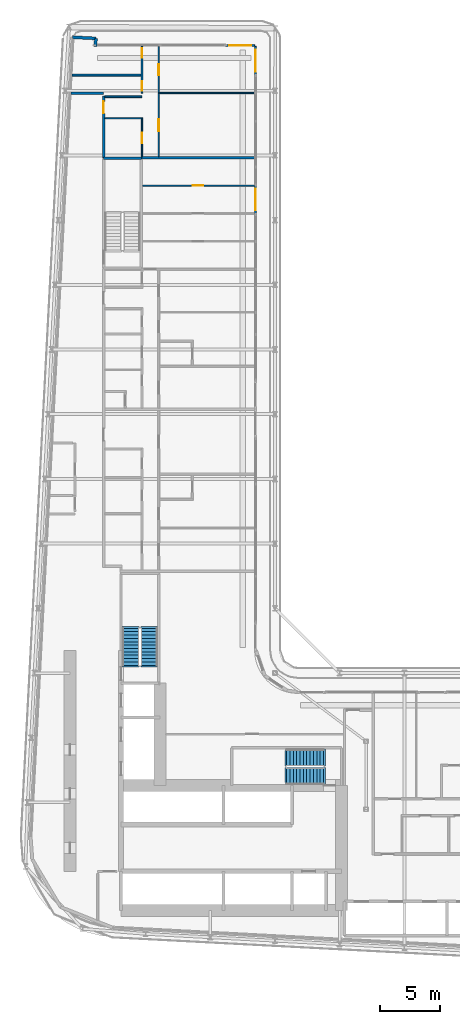
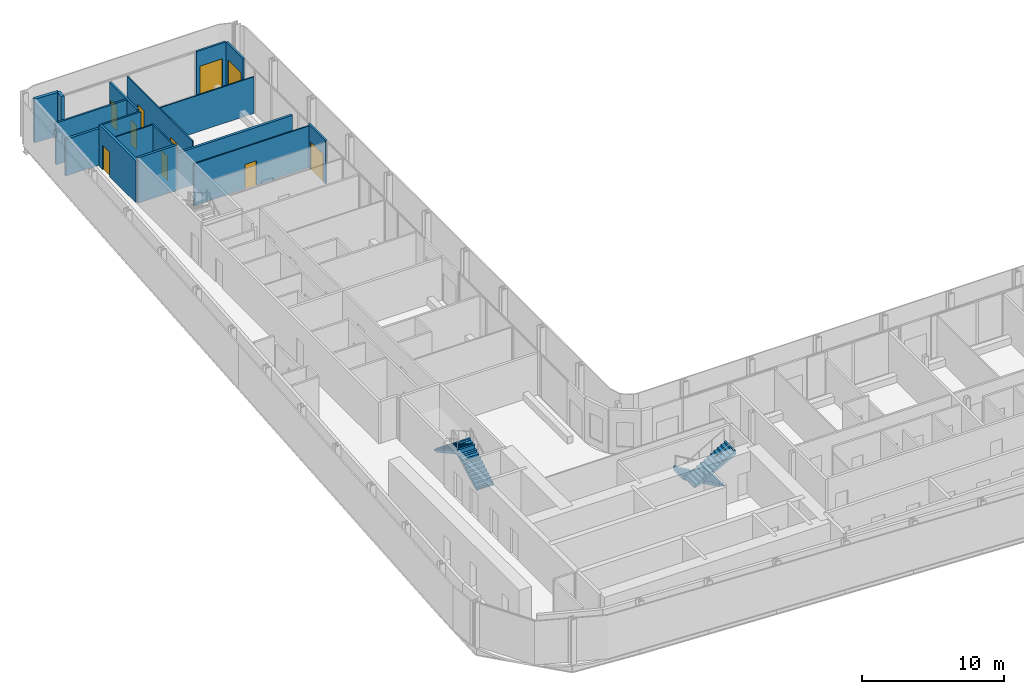
# One storey, part 19 of 27: 17 walls, 10 doors, 4 stair flights, 10 openings, 2 elements without a shape of their own.
"""IFC4 building model written with IfcOpenShell, lengths in metres."""

import ifcopenshell
import ifcopenshell.guid

model = None  # the IFC model being written
_history = None  # IfcOwnerHistory: only IFC2X3 demands one
_inside = {}  # id of a spatial element -> (the spatial element, [elements in it])
_under = {}  # id of a project, library or spatial element -> (it, [spatial elements below it])
_declared = {}  # id of a project -> (the project, [libraries it declares])
_typed = {}  # id of a type object -> (the type object, [elements of that type])
_made_of = {}  # id of a material, layer set ... -> (it, [elements and type objects made of it])


def new_model(schema):
    """Start an empty IFC model of exactly this schema.

    Asked for "IFC4X3", IfcOpenShell would pick the latest addendum, in which some entities
    have other attributes; the version numbers below select the first issue.
    IFC2X3 requires an IfcOwnerHistory on every rooted entity: one is made here for all.
    """
    global model, _history
    if schema == "IFC4X3":
        model = ifcopenshell.file(schema_version=(4, 3, 0, 0))
    else:
        model = ifcopenshell.file(schema=schema)
    _inside.clear()
    _under.clear()
    _declared.clear()
    _typed.clear()
    _made_of.clear()
    _history = None
    if model.schema == "IFC2X3":
        org = make("IfcOrganization", Name="unknown")
        user = make(
            "IfcPersonAndOrganization",
            ThePerson=make("IfcPerson", FamilyName="unknown"),
            TheOrganization=org,
        )
        app = make(
            "IfcApplication",
            ApplicationDeveloper=org,
            Version="unknown",
            ApplicationFullName="unknown",
            ApplicationIdentifier="unknown",
        )
        _history = make(
            "IfcOwnerHistory",
            OwningUser=user,
            OwningApplication=app,
            ChangeAction="ADDED",
            CreationDate=0,
        )
    return model


def make(cls, **values):
    """One entity of the class cls with the attributes given. An attribute that is None is left unset."""
    return model.create_entity(
        cls, **{name: value for name, value in values.items() if value is not None}
    )


def rooted(cls, **values):
    """An entity with a GlobalId (a new one), such as an element, a storey or a relation."""
    return make(cls, GlobalId=ifcopenshell.guid.new(), OwnerHistory=_history, **values)


def si_unit(unit_type, name, prefix=None):
    """IfcSIUnit, for example si_unit("LENGTHUNIT", "METRE", prefix="MILLI")."""
    return make("IfcSIUnit", UnitType=unit_type, Prefix=prefix, Name=name)


def assignment(units):
    """IfcUnitAssignment: the units of a project."""
    return None if units is None else make("IfcUnitAssignment", Units=units)


def point(xyz):
    """IfcCartesianPoint."""
    return None if xyz is None else make("IfcCartesianPoint", Coordinates=xyz)


def direction(xyz):
    """IfcDirection."""
    return None if xyz is None else make("IfcDirection", DirectionRatios=xyz)


def frame(location, z_axis=None, x_axis=None):
    """IfcAxis2Placement3D, a coordinate frame: its origin and axes. An axis left out is left unset."""
    return make(
        "IfcAxis2Placement3D",
        Location=point(location),
        Axis=direction(z_axis),
        RefDirection=direction(x_axis),
    )


def frame_2d(location, x_axis=None):
    """IfcAxis2Placement2D, a coordinate frame in the plane: its origin and x axis."""
    return make(
        "IfcAxis2Placement2D", Location=point(location), RefDirection=direction(x_axis)
    )


def origin():
    """The frame at (0, 0, 0) with its axes left unset."""
    return frame((0.0, 0.0, 0.0))


def place(relative_to, where):
    """IfcLocalPlacement: puts the frame where relative to a parent placement (None: the world)."""
    return make(
        "IfcLocalPlacement", PlacementRelTo=relative_to, RelativePlacement=where
    )


def context(
    kind, dimensions, precision=None, world=None, true_north=None, identifier=None
):
    """IfcGeometricRepresentationContext, for example the 3D "Model" context."""
    return make(
        "IfcGeometricRepresentationContext",
        ContextIdentifier=identifier,
        ContextType=kind,
        CoordinateSpaceDimension=dimensions,
        Precision=precision,
        WorldCoordinateSystem=world,
        TrueNorth=true_north,
    )


def subcontext(parent, identifier, kind, view, scale=None):
    """IfcGeometricRepresentationSubContext, for example "Body" below "Model"."""
    return make(
        "IfcGeometricRepresentationSubContext",
        ContextIdentifier=identifier,
        ContextType=kind,
        ParentContext=parent,
        TargetScale=scale,
        TargetView=view,
    )


def project(units=None, contexts=None):
    """IfcProject with its units and contexts."""
    return rooted(
        "IfcProject",
        Name="project",
        RepresentationContexts=contexts,
        UnitsInContext=assignment(units),
    )


def spatial(cls, under=None, at=None, **own):
    """A site, building, storey or space (cls), placed at a placement, below another one or the project."""
    s = rooted(cls, ObjectPlacement=at, **own)
    if under is not None:
        _under.setdefault(under.id(), (under, []))[1].append(s)
    return s


def polyline(points):
    """IfcPolyline through the points."""
    return make("IfcPolyline", Points=[point(p) for p in points])


def profile(cls, at=None, kind="AREA", **sizes):
    """A parametric profile (cls). Its sizes go by their IFC names, for example OverallWidth=200.0."""
    return make(cls, ProfileType=kind, Position=at, **sizes)


def rectangle(**sizes):
    """IfcRectangleProfileDef."""
    return profile("IfcRectangleProfileDef", **sizes)


def outline(outer, holes=None, kind="AREA"):
    """IfcArbitraryClosedProfileDef: a profile drawn as a closed curve; with holes, ...WithVoids."""
    if holes is None:
        return make("IfcArbitraryClosedProfileDef", ProfileType=kind, OuterCurve=outer)
    return make(
        "IfcArbitraryProfileDefWithVoids",
        ProfileType=kind,
        OuterCurve=outer,
        InnerCurves=holes,
    )


def extrude(swept, where, along, depth):
    """IfcExtrudedAreaSolid: the profile swept, set in the frame where, extruded along a direction by depth."""
    return make(
        "IfcExtrudedAreaSolid",
        SweptArea=swept,
        Position=where,
        ExtrudedDirection=direction(along),
        Depth=depth,
    )


def shape(context_of_items, identifier, shape_type, items):
    """IfcShapeRepresentation: the items that make up one representation, for example the "Body"."""
    return make(
        "IfcShapeRepresentation",
        ContextOfItems=context_of_items,
        RepresentationIdentifier=identifier,
        RepresentationType=shape_type,
        Items=items,
    )


def source(mapping_origin, context_of_items, identifier, shape_type, items):
    """IfcRepresentationMap: a shape defined once, which mapped items show again and again."""
    return make(
        "IfcRepresentationMap",
        MappingOrigin=mapping_origin,
        MappedRepresentation=shape(context_of_items, identifier, shape_type, items),
    )


def transform(
    local_origin,
    x_axis=None,
    y_axis=None,
    z_axis=None,
    scale=None,
    scale2=None,
    scale3=None,
    uniform=True,
):
    """IfcCartesianTransformationOperator3D, or its non-uniform kind. x_axis, y_axis, z_axis: its Axis1, 2, 3."""
    if uniform:
        return make(
            "IfcCartesianTransformationOperator3D",
            Axis1=direction(x_axis),
            Axis2=direction(y_axis),
            LocalOrigin=point(local_origin),
            Scale=scale,
            Axis3=direction(z_axis),
        )
    return make(
        "IfcCartesianTransformationOperator3DnonUniform",
        Axis1=direction(x_axis),
        Axis2=direction(y_axis),
        LocalOrigin=point(local_origin),
        Scale=scale,
        Axis3=direction(z_axis),
        Scale2=scale2,
        Scale3=scale3,
    )


def mapped(mapping_source, mapping_target):
    """IfcMappedItem: shows the shape of a source again, moved by a transform."""
    return make(
        "IfcMappedItem", MappingSource=mapping_source, MappingTarget=mapping_target
    )


def material(Name=None, Category=None):
    """IfcMaterial."""
    return make("IfcMaterial", Name=Name, Category=Category)


def layer(
    of_material, thickness, ventilated=None, Name=None, Category=None, Priority=None
):
    """IfcMaterialLayer: one layer of a wall or slab, of a material (None: an air gap)."""
    return make(
        "IfcMaterialLayer",
        Material=of_material,
        LayerThickness=thickness,
        IsVentilated=ventilated,
        Name=Name,
        Category=Category,
        Priority=Priority,
    )


def layer_set(layers, Name=None):
    """IfcMaterialLayerSet."""
    return make("IfcMaterialLayerSet", MaterialLayers=layers, LayerSetName=Name)


def made_of(thing, what):
    """Note that an element or type object is made of a material, layer set ...; save() writes the relation."""
    if what is not None:
        _made_of.setdefault(what.id(), (what, []))[1].append(thing)
    return thing


def type_object(cls, material=None, **own):
    """A type object (cls), such as IfcWallType, which elements share."""
    return made_of(rooted(cls, **own), material)


def element(
    cls,
    number,
    at=None,
    inside=None,
    cuts=None,
    type_object=None,
    material=None,
    context=None,
    identifier="Body",
    shape_type=None,
    held_by="IfcProductDefinitionShape",
    body=None,
    shapes=None,
    **own,
):
    """One element of the class cls, such as IfcWall. Its Tag is "e" and its number.

    at: its placement. inside: the storey or other place that contains it. cuts: it is an
    opening in that element (IfcRelVoidsElement). A single representation is given by context,
    identifier, shape_type and body (its items); several are given by shapes. held_by: the class
    of the entity that holds the representations. save() writes the other relations.
    """
    e = rooted(cls, Tag="e%d" % number, ObjectPlacement=at, **own)
    if body is not None:
        shapes = [shape(context, identifier, shape_type, body)]
    if shapes is not None:
        e.Representation = make(held_by, Representations=shapes)
    if inside is not None:
        _inside.setdefault(inside.id(), (inside, []))[1].append(e)
    if cuts is not None:
        rooted(
            "IfcRelVoidsElement", RelatingBuildingElement=cuts, RelatedOpeningElement=e
        )
    if type_object is not None:
        _typed.setdefault(type_object.id(), (type_object, []))[1].append(e)
    return made_of(e, material)


def fill(opening, filler):
    """IfcRelFillsElement: the door or window that sits in an opening."""
    return rooted(
        "IfcRelFillsElement",
        RelatingOpeningElement=opening,
        RelatedBuildingElement=filler,
    )


def aggregate(whole, parts):
    """IfcRelAggregates: a whole, such as a stair, and the parts it consists of."""
    return rooted("IfcRelAggregates", RelatingObject=whole, RelatedObjects=parts)


def save(model, path):
    """Write the relations noted so far, then the file.

    IfcRelAggregates (storeys below a building ...), IfcRelContainedInSpatialStructure (elements
    in a storey), IfcRelDefinesByType, IfcRelAssociatesMaterial and IfcRelDeclares: one each for
    every whole, place, type object, material and project.
    """
    for whole, parts in _under.values():
        aggregate(whole, parts)
    for where, things in _inside.values():
        rooted(
            "IfcRelContainedInSpatialStructure",
            RelatedElements=things,
            RelatingStructure=where,
        )
    for kind, things in _typed.values():
        rooted("IfcRelDefinesByType", RelatedObjects=things, RelatingType=kind)
    for what, things in _made_of.values():
        rooted("IfcRelAssociatesMaterial", RelatedObjects=things, RelatingMaterial=what)
    for by, libraries in _declared.values():
        rooted("IfcRelDeclares", RelatingContext=by, RelatedDefinitions=libraries)
    model.write(path)


model = new_model("IFC4")

# Units and contexts
model_context = context("Model", 3, precision=1e-05, world=origin(), true_north=direction((0.0, 1.0)))
body_context = subcontext(model_context, "Body", "Model", "MODEL_VIEW")
ifc_project = project(units=[si_unit("LENGTHUNIT", "METRE"), si_unit("AREAUNIT", "SQUARE_METRE"), si_unit("VOLUMEUNIT", "CUBIC_METRE"), si_unit("PLANEANGLEUNIT", "RADIAN"), si_unit("MASSUNIT", "GRAM", prefix="KILO")], contexts=[model_context])

# Site, building, storey
site_placement = place(None, origin())
site = spatial("IfcSite", under=ifc_project, at=site_placement, CompositionType="ELEMENT")
building_placement = place(site_placement, origin())
building = spatial("IfcBuilding", under=site, at=building_placement, Name="Kheshtan School and Residences Tower", CompositionType="ELEMENT")
storey_placement = place(building_placement, frame((0.0, 0.0, 53.89990234375)))
storey = spatial("IfcBuildingStorey", under=building, at=storey_placement, Name="L12", CompositionType="ELEMENT", Elevation=53.89990234375)

# Wall
ifc_material_1 = material(Name="Gypsum board on steel studs with fire boards", Category="steel")
ifc_layer_1 = layer(ifc_material_1, 0.199951171875)
ifc_layer_set_1 = layer_set([ifc_layer_1], Name="Corridor wall 200")
wall_type_1 = type_object("IfcWallType", Name="Corridor wall 200", PredefinedType="PARTITIONING", material=ifc_layer_set_1)
wall_1_placement = place(storey_placement, frame((30.584716796875, 94.0, 0.0), z_axis=(0.0, 0.0, 1.0), x_axis=(1.0, 0.0, 0.0)))
element("IfcWall", 1, at=wall_1_placement, inside=storey, type_object=wall_type_1, Name="Partition L12-002", PredefinedType="PARTITIONING", context=body_context, shape_type="SweptSolid", body=[
    extrude(rectangle(XDim=2.71533203125, YDim=0.199951171875, at=frame_2d((1.357666015625, 0.0))), origin(), (0.0, 0.0, 1.0), 3.147216796875),
])

# Wall, opening, door
wall_2_placement = place(storey_placement, frame((33.300048828125, 88.60009765625, 0.0), z_axis=(0.0, 0.0, 1.0), x_axis=(0.0, 1.0, 0.0)))
wall_2 = element("IfcWall", 2, at=wall_2_placement, inside=storey, type_object=wall_type_1, Name="Partition L12-004", PredefinedType="PARTITIONING", context=body_context, shape_type="SweptSolid", body=[
    extrude(rectangle(XDim=5.1748046875, YDim=0.199951171875, at=frame_2d((2.58740234375, 0.0))), origin(), (0.0, 0.0, 1.0), 3.60009765625),
])
opening_1_placement = place(wall_2_placement, frame((3.699951171875, 0.0, 0.0)))
opening_1 = element("IfcOpeningElement", 3, at=opening_1_placement, cuts=wall_2, Name="Opening D12-054", PredefinedType="OPENING", context=body_context, shape_type="SweptSolid", body=[
    extrude(rectangle(XDim=1.0, YDim=2.10009765625, at=frame_2d((0.5, 1.050048828125))), frame((0.0, 0.10986328125, 0.0), z_axis=(0.0, -1.0, 0.0), x_axis=(1.0, 0.0, 0.0)), (0.0, 0.0, 1.0), 0.219970703125),
])
ifc_material_2 = material(Name="Steel-framed fire-resisting door leaf", Category="steel")
door_type_1 = type_object("IfcDoorType", Name="Fire door FD30S 1000 x 2100", OperationType="SINGLE_SWING_LEFT", PredefinedType="DOOR", material=ifc_material_2)
shared_shape_1 = source(origin(), body_context, "Body", "SweptSolid", [
    extrude(rectangle(XDim=1.0, YDim=2.10009765625, at=frame_2d((0.5, 1.050048828125))), frame((0.0, 0.02490234375, 0.0), z_axis=(0.0, -1.0, 0.0), x_axis=(1.0, 0.0, 0.0)), (0.0, 0.0, 1.0), 0.050048828125),
])
door_1_placement = place(opening_1_placement, origin())
door_1 = element("IfcDoor", 4, at=door_1_placement, inside=storey, type_object=door_type_1, Name="Door D12-054", OperationType="SINGLE_SWING_RIGHT", OverallHeight=2.10009765625, OverallWidth=1.0, PredefinedType="DOOR", context=body_context, shape_type="MappedRepresentation", body=[
    mapped(shared_shape_1, transform((0.0, 0.0, 0.0), x_axis=(1.0, 0.0, 0.0), y_axis=(0.0, 1.0, 0.0), z_axis=(0.0, 0.0, 1.0), scale=1.0)),
])
fill(opening_1, door_1)

# Walls
ifc_material_3 = material(Name="Concrete C40/50 with ceramic cladding and mineral wool insulation", Category="concrete")
ifc_layer_2 = layer(ifc_material_3, 0.25)
ifc_layer_set_2 = layer_set([ifc_layer_2], Name="External wall 250 ceramic clad")
wall_type_2 = type_object("IfcWallType", Name="External wall 250 ceramic clad", PredefinedType="SOLIDWALL", material=ifc_layer_set_2)
wall_3_placement = place(storey_placement, frame((30.705078125, 98.6640625, 0.0), z_axis=(0.0, 0.0, 1.0), x_axis=(0.998577785791, -0.053314216913, 0.0)))
element("IfcWall", 5, at=wall_3_placement, inside=storey, type_object=wall_type_2, Name="External wall L12 5", PredefinedType="SOLIDWALL", context=body_context, shape_type="SweptSolid", body=[
    extrude(rectangle(XDim=1.95068359375, YDim=0.25, at=frame_2d((0.975341796875, 0.0))), origin(), (0.0, 0.0, 1.0), 3.75),
])
wall_4_placement = place(storey_placement, frame((32.653076171875, 98.56005859375, 0.0), z_axis=(0.0, 0.0, 1.0), x_axis=(-0.054093451632, -0.998535877418, 0.0)))
element("IfcWall", 6, at=wall_4_placement, inside=storey, type_object=wall_type_2, Name="External wall L12 6", PredefinedType="SOLIDWALL", context=body_context, shape_type="SweptSolid", body=[
    extrude(rectangle(XDim=0.66796875, YDim=0.25, at=frame_2d((0.333984375, 0.0))), origin(), (0.0, 0.0, 1.0), 3.75),
])

# Wall, opening, door
ifc_material_4 = material(Name="Aluminium frame wall with insulated infill", Category="aluminium")
ifc_layer_3 = layer(ifc_material_4, 0.14990234375)
ifc_layer_set_3 = layer_set([ifc_layer_3], Name="Glazing frame wall 150")
wall_type_3 = type_object("IfcWallType", Name="Glazing frame wall 150", PredefinedType="SOLIDWALL", material=ifc_layer_set_3)
wall_5_placement = place(storey_placement, frame((43.5, 97.97509765625, 0.0), z_axis=(0.0, 0.0, 1.0), x_axis=(1.0, 0.0, 0.0)))
wall_5 = element("IfcWall", 7, at=wall_5_placement, inside=storey, type_object=wall_type_3, Name="Balcony door wall L12 7.1", PredefinedType="SOLIDWALL", context=body_context, shape_type="SweptSolid", body=[
    extrude(rectangle(XDim=2.39990234375, YDim=0.14990234375, at=frame_2d((1.199951171875, 0.0))), origin(), (0.0, 0.0, 1.0), 3.75),
])
opening_2_placement = place(wall_5_placement, frame((0.300048828125, 0.0, 0.0)))
opening_2 = element("IfcOpeningElement", 8, at=opening_2_placement, cuts=wall_5, Name="Opening BD", PredefinedType="OPENING", context=body_context, shape_type="SweptSolid", body=[
    extrude(rectangle(XDim=1.800048828125, YDim=2.39990234375, at=frame_2d((0.89990234375, 1.199951171875))), frame((0.0, 0.0849609375, 0.0), z_axis=(0.0, -1.0, 0.0), x_axis=(1.0, 0.0, 0.0)), (0.0, 0.0, 1.0), 0.169921875),
])
ifc_material_5 = material(Name="Clear low-e glass in thermally broken aluminium frame", Category="aluminium")
door_type_2 = type_object("IfcDoorType", Name="Balcony sliding door", OperationType="SLIDING_TO_LEFT", PredefinedType="DOOR", material=ifc_material_5)
shared_shape_2 = source(origin(), body_context, "Body", "SweptSolid", [
    extrude(rectangle(XDim=1.800048828125, YDim=2.39990234375, at=frame_2d((0.89990234375, 1.199951171875))), frame((0.0, 0.02490234375, 0.0), z_axis=(0.0, -1.0, 0.0), x_axis=(1.0, 0.0, 0.0)), (0.0, 0.0, 1.0), 0.050048828125),
])
door_2_placement = place(opening_2_placement, origin())
door_2 = element("IfcDoor", 9, at=door_2_placement, inside=storey, type_object=door_type_2, Name="Balcony door L12 7.1", OperationType="SLIDING_TO_LEFT", OverallHeight=2.39990234375, OverallWidth=1.800048828125, PredefinedType="DOOR", context=body_context, shape_type="MappedRepresentation", body=[
    mapped(shared_shape_2, transform((0.0, 0.0, 0.0), x_axis=(1.0, 0.0, 0.0), y_axis=(0.0, 1.0, 0.0), z_axis=(0.0, 0.0, 1.0), scale=1.0)),
])
fill(opening_2, door_2)

wall_6_placement = place(storey_placement, frame((45.97509765625, 97.89990234375, 0.0), z_axis=(0.0, 0.0, 1.0), x_axis=(0.0, -1.0, 0.0)))
wall_6 = element("IfcWall", 10, at=wall_6_placement, inside=storey, type_object=wall_type_3, Name="Balcony door wall L12 8.1", PredefinedType="SOLIDWALL", context=body_context, shape_type="SweptSolid", body=[
    extrude(rectangle(XDim=2.39990234375, YDim=0.14990234375, at=frame_2d((1.199951171875, 0.0))), origin(), (0.0, 0.0, 1.0), 3.75),
])
opening_3_placement = place(wall_6_placement, frame((0.300048828125, 0.0, 0.0)))
opening_3 = element("IfcOpeningElement", 11, at=opening_3_placement, cuts=wall_6, Name="Opening BD", PredefinedType="OPENING", context=body_context, shape_type="SweptSolid", body=[
    extrude(rectangle(XDim=1.800048828125, YDim=2.39990234375, at=frame_2d((0.89990234375, 1.199951171875))), frame((0.0, 0.0849609375, 0.0), z_axis=(0.0, -1.0, 0.0), x_axis=(1.0, 0.0, 0.0)), (0.0, 0.0, 1.0), 0.169921875),
])
door_3_placement = place(opening_3_placement, origin())
door_3 = element("IfcDoor", 12, at=door_3_placement, inside=storey, type_object=door_type_2, Name="Balcony door L12 8.1", OperationType="SLIDING_TO_LEFT", OverallHeight=2.39990234375, OverallWidth=1.800048828125, PredefinedType="DOOR", context=body_context, shape_type="MappedRepresentation", body=[
    mapped(shared_shape_2, transform((0.0, 0.0, 0.0), x_axis=(1.0, 0.0, 0.0), y_axis=(0.0, 1.0, 0.0), z_axis=(0.0, 0.0, 1.0), scale=1.0)),
])
fill(opening_3, door_3)

wall_7_placement = place(storey_placement, frame((45.97509765625, 86.305908203125, 0.0), z_axis=(0.0, 0.0, 1.0), x_axis=(0.0, -1.0, 0.0)))
wall_7 = element("IfcWall", 13, at=wall_7_placement, inside=storey, type_object=wall_type_3, Name="Balcony door wall L12 8.2", PredefinedType="SOLIDWALL", context=body_context, shape_type="SweptSolid", body=[
    extrude(rectangle(XDim=2.39990234375, YDim=0.14990234375, at=frame_2d((1.199951171875, 0.0))), origin(), (0.0, 0.0, 1.0), 3.75),
])
opening_4_placement = place(wall_7_placement, frame((0.300048828125, 0.0, 0.0)))
opening_4 = element("IfcOpeningElement", 14, at=opening_4_placement, cuts=wall_7, Name="Opening BD", PredefinedType="OPENING", context=body_context, shape_type="SweptSolid", body=[
    extrude(rectangle(XDim=1.800048828125, YDim=2.39990234375, at=frame_2d((0.89990234375, 1.199951171875))), frame((0.0, 0.0849609375, 0.0), z_axis=(0.0, -1.0, 0.0), x_axis=(1.0, 0.0, 0.0)), (0.0, 0.0, 1.0), 0.169921875),
])
door_4_placement = place(opening_4_placement, origin())
door_4 = element("IfcDoor", 15, at=door_4_placement, inside=storey, type_object=door_type_2, Name="Balcony door L12 8.2", OperationType="SLIDING_TO_LEFT", OverallHeight=2.39990234375, OverallWidth=1.800048828125, PredefinedType="DOOR", context=body_context, shape_type="MappedRepresentation", body=[
    mapped(shared_shape_2, transform((0.0, 0.0, 0.0), x_axis=(1.0, 0.0, 0.0), y_axis=(0.0, 1.0, 0.0), z_axis=(0.0, 0.0, 1.0), scale=1.0)),
])
fill(opening_4, door_4)

# Wall
ifc_material_6 = material(Name="Gypsum board on steel studs", Category="steel")
ifc_layer_4 = layer(ifc_material_6, 0.10009765625)
ifc_layer_set_4 = layer_set([ifc_layer_4], Name="Gypsum partition 100")
wall_type_4 = type_object("IfcWallType", Name="Gypsum partition 100", PredefinedType="PARTITIONING", material=ifc_layer_set_4)
wall_8_placement = place(storey_placement, frame((33.39990234375, 91.89990234375, 0.0), z_axis=(0.0, 0.0, 1.0), x_axis=(1.0, 0.0, 0.0)))
element("IfcWall", 16, at=wall_8_placement, inside=storey, type_object=wall_type_4, Name="Partition L12-016", PredefinedType="PARTITIONING", context=body_context, shape_type="SweptSolid", body=[
    extrude(rectangle(XDim=3.050048828125, YDim=0.10009765625, at=frame_2d((1.52490234375, 0.0))), origin(), (0.0, 0.0, 1.0), 3.60009765625),
])

# Wall, opening, door
wall_9_placement = place(storey_placement, frame((36.5, 88.699951171875, 0.0), z_axis=(0.0, 0.0, 1.0), x_axis=(0.0, 1.0, 0.0)))
wall_9 = element("IfcWall", 17, at=wall_9_placement, inside=storey, type_object=wall_type_4, Name="Partition L12-025", PredefinedType="PARTITIONING", context=body_context, shape_type="SweptSolid", body=[
    extrude(rectangle(XDim=3.25, YDim=0.10009765625, at=frame_2d((1.625, 0.0))), origin(), (0.0, 0.0, 1.0), 3.60009765625),
])
opening_5_placement = place(wall_9_placement, frame((1.10009765625, 0.0, 0.0)))
opening_5 = element("IfcOpeningElement", 18, at=opening_5_placement, cuts=wall_9, Name="Opening D12-055", PredefinedType="OPENING", context=body_context, shape_type="SweptSolid", body=[
    extrude(rectangle(XDim=0.89990234375, YDim=2.10009765625, at=frame_2d((0.449951171875, 1.050048828125))), frame((0.0, 0.06005859375, 0.0), z_axis=(0.0, -1.0, 0.0), x_axis=(1.0, 0.0, 0.0)), (0.0, 0.0, 1.0), 0.1201171875),
])
ifc_material_7 = material(Name="Veneered timber door leaf", Category="wood")
door_type_3 = type_object("IfcDoorType", Name="Door 900 x 2100", OperationType="SINGLE_SWING_LEFT", PredefinedType="DOOR", material=ifc_material_7)
shared_shape_3 = source(origin(), body_context, "Body", "SweptSolid", [
    extrude(rectangle(XDim=0.89990234375, YDim=2.10009765625, at=frame_2d((0.449951171875, 1.050048828125))), frame((0.0, 0.02490234375, 0.0), z_axis=(0.0, -1.0, 0.0), x_axis=(1.0, 0.0, 0.0)), (0.0, 0.0, 1.0), 0.050048828125),
])
door_5_placement = place(opening_5_placement, origin())
door_5 = element("IfcDoor", 19, at=door_5_placement, inside=storey, type_object=door_type_3, Name="Door D12-055", OperationType="SINGLE_SWING_LEFT", OverallHeight=2.10009765625, OverallWidth=0.89990234375, PredefinedType="DOOR", context=body_context, shape_type="MappedRepresentation", body=[
    mapped(shared_shape_3, transform((0.0, 0.0, 0.0), x_axis=(1.0, 0.0, 0.0), y_axis=(0.0, 1.0, 0.0), z_axis=(0.0, 0.0, 1.0), scale=1.0)),
])
fill(opening_5, door_5)

wall_10_placement = place(storey_placement, frame((36.549072265625, 86.27490234375, 0.0), z_axis=(0.0, 0.0, 1.0), x_axis=(1.0, 0.0, 0.0)))
wall_10 = element("IfcWall", 20, at=wall_10_placement, inside=storey, type_object=wall_type_4, Name="Partition L12-029", PredefinedType="PARTITIONING", context=body_context, shape_type="SweptSolid", body=[
    extrude(rectangle(XDim=9.350830078125, YDim=0.10009765625, at=frame_2d((4.67529296875, 0.0))), origin(), (0.0, 0.0, 1.0), 3.60009765625),
])
opening_6_placement = place(wall_10_placement, frame((4.176025390625, 0.0, 0.0)))
opening_6 = element("IfcOpeningElement", 21, at=opening_6_placement, cuts=wall_10, Name="Opening D12-051", PredefinedType="OPENING", context=body_context, shape_type="SweptSolid", body=[
    extrude(rectangle(XDim=0.89990234375, YDim=2.10009765625, at=frame_2d((0.449951171875, 1.050048828125))), frame((0.0, 0.06005859375, 0.0), z_axis=(0.0, -1.0, 0.0), x_axis=(1.0, 0.0, 0.0)), (0.0, 0.0, 1.0), 0.1201171875),
])
door_6_placement = place(opening_6_placement, origin())
door_6 = element("IfcDoor", 22, at=door_6_placement, inside=storey, type_object=door_type_3, Name="Door D12-051", OperationType="SINGLE_SWING_RIGHT", OverallHeight=2.10009765625, OverallWidth=0.89990234375, PredefinedType="DOOR", context=body_context, shape_type="MappedRepresentation", body=[
    mapped(shared_shape_3, transform((0.0, 0.0, 0.0), x_axis=(1.0, 0.0, 0.0), y_axis=(0.0, 1.0, 0.0), z_axis=(0.0, 0.0, 1.0), scale=1.0)),
])
fill(opening_6, door_6)

# Wall, openings, doors
wall_11_placement = place(storey_placement, frame((37.89990234375, 88.699951171875, 0.0), z_axis=(0.0, 0.0, 1.0), x_axis=(0.0, 1.0, 0.0)))
wall_11 = element("IfcWall", 23, at=wall_11_placement, inside=storey, type_object=wall_type_4, Name="Partition L12-032", PredefinedType="PARTITIONING", context=body_context, shape_type="SweptSolid", body=[
    extrude(rectangle(XDim=9.199951171875, YDim=0.10009765625, at=frame_2d((4.60009765625, 0.0))), origin(), (0.0, 0.0, 1.0), 3.60009765625),
])
opening_7_placement = place(wall_11_placement, frame((6.800048828125, 0.0, 0.0)))
opening_7 = element("IfcOpeningElement", 24, at=opening_7_placement, cuts=wall_11, Name="Opening D12-053", PredefinedType="OPENING", context=body_context, shape_type="SweptSolid", body=[
    extrude(rectangle(XDim=0.89990234375, YDim=2.10009765625, at=frame_2d((0.449951171875, 1.050048828125))), frame((0.0, 0.06005859375, 0.0), z_axis=(0.0, -1.0, 0.0), x_axis=(1.0, 0.0, 0.0)), (0.0, 0.0, 1.0), 0.1201171875),
])
opening_8_placement = place(wall_11_placement, frame((2.10009765625, 0.0, 0.0)))
opening_8 = element("IfcOpeningElement", 25, at=opening_8_placement, cuts=wall_11, Name="Opening D12-056", PredefinedType="OPENING", context=body_context, shape_type="SweptSolid", body=[
    extrude(rectangle(XDim=1.0, YDim=2.10009765625, at=frame_2d((0.5, 1.050048828125))), frame((0.0, 0.06005859375, 0.0), z_axis=(0.0, -1.0, 0.0), x_axis=(1.0, 0.0, 0.0)), (0.0, 0.0, 1.0), 0.1201171875),
])
door_type_4 = type_object("IfcDoorType", Name="Door 1000 x 2100", OperationType="SINGLE_SWING_LEFT", PredefinedType="DOOR", material=ifc_material_7)
shared_shape_4 = source(origin(), body_context, "Body", "SweptSolid", [
    extrude(rectangle(XDim=1.0, YDim=2.10009765625, at=frame_2d((0.5, 1.050048828125))), frame((0.0, 0.02490234375, 0.0), z_axis=(0.0, -1.0, 0.0), x_axis=(1.0, 0.0, 0.0)), (0.0, 0.0, 1.0), 0.050048828125),
])
door_7_placement = place(opening_8_placement, origin())
door_7 = element("IfcDoor", 26, at=door_7_placement, inside=storey, type_object=door_type_4, Name="Door D12-056", OperationType="SINGLE_SWING_LEFT", OverallHeight=2.10009765625, OverallWidth=1.0, PredefinedType="DOOR", context=body_context, shape_type="MappedRepresentation", body=[
    mapped(shared_shape_4, transform((0.0, 0.0, 0.0), x_axis=(1.0, 0.0, 0.0), y_axis=(0.0, 1.0, 0.0), z_axis=(0.0, 0.0, 1.0), scale=1.0)),
])
fill(opening_8, door_7)
door_8_placement = place(opening_7_placement, origin())
door_8 = element("IfcDoor", 27, at=door_8_placement, inside=storey, type_object=door_type_3, Name="Door D12-053", OperationType="SINGLE_SWING_RIGHT", OverallHeight=2.10009765625, OverallWidth=0.89990234375, PredefinedType="DOOR", context=body_context, shape_type="MappedRepresentation", body=[
    mapped(shared_shape_3, transform((0.0, 0.0, 0.0), x_axis=(1.0, 0.0, 0.0), y_axis=(0.0, 1.0, 0.0), z_axis=(0.0, 0.0, 1.0), scale=1.0)),
])
fill(opening_7, door_8)

# Walls
wall_12_placement = place(storey_placement, frame((37.949951171875, 94.0, 0.0), z_axis=(0.0, 0.0, 1.0), x_axis=(1.0, 0.0, 0.0)))
element("IfcWall", 28, at=wall_12_placement, inside=storey, type_object=wall_type_4, Name="Partition L12-033", PredefinedType="PARTITIONING", context=body_context, shape_type="SweptSolid", body=[
    extrude(rectangle(XDim=7.949951171875, YDim=0.10009765625, at=frame_2d((3.97509765625, 0.0))), origin(), (0.0, 0.0, 1.0), 3.147216796875),
])
ifc_material_8 = material(Name="Concrete C40/50", Category="concrete")
ifc_layer_5 = layer(ifc_material_8, 0.199951171875)
ifc_layer_set_5 = layer_set([ifc_layer_5], Name="Stair enclosure wall 200 Concrete C40/50")
wall_type_5 = type_object("IfcWallType", Name="Stair enclosure wall 200 Concrete C40/50", PredefinedType="SHEAR", material=ifc_layer_set_5)
wall_13_placement = place(storey_placement, frame((33.300048828125, 88.56005859375, 0.0), z_axis=(0.0, 0.0, 1.0), x_axis=(1.0, 0.0, 0.0)))
element("IfcWall", 29, at=wall_13_placement, inside=storey, type_object=wall_type_5, Name="Stair enclosure wall ST3", PredefinedType="SHEAR", context=body_context, shape_type="SweptSolid", body=[
    extrude(rectangle(XDim=3.14990234375, YDim=0.199951171875, at=frame_2d((1.574951171875, 0.0))), origin(), (0.0, 0.0, 1.0), 3.900146484375),
])
ifc_material_9 = material(Name="Twin gypsum board on steel studs with mineral wool", Category="steel")
ifc_layer_6 = layer(ifc_material_9, 0.199951171875)
ifc_layer_set_6 = layer_set([ifc_layer_6], Name="Unit demising wall 200")
wall_type_6 = type_object("IfcWallType", Name="Unit demising wall 200", PredefinedType="PARTITIONING", material=ifc_layer_set_6)
wall_14_placement = place(storey_placement, frame((36.449951171875, 88.60009765625, 0.0), z_axis=(0.0, 0.0, 1.0), x_axis=(1.0, 0.0, 0.0)))
element("IfcWall", 30, at=wall_14_placement, inside=storey, type_object=wall_type_6, Name="Partition L12-021", PredefinedType="PARTITIONING", context=body_context, shape_type="SweptSolid", body=[
    extrude(rectangle(XDim=9.449951171875, YDim=0.199951171875, at=frame_2d((4.72509765625, 0.0))), origin(), (0.0, 0.0, 1.0), 3.147216796875),
])
ifc_material_10 = material(Name="Moisture-resistant gypsum board on steel studs", Category="steel")
ifc_layer_7 = layer(ifc_material_10, 0.14990234375)
ifc_layer_set_7 = layer_set([ifc_layer_7], Name="Wet-room partition 150")
wall_type_7 = type_object("IfcWallType", Name="Wet-room partition 150", PredefinedType="PARTITIONING", material=ifc_layer_set_7)
wall_15_placement = place(storey_placement, frame((30.6640625, 95.5, 0.0), z_axis=(0.0, 0.0, 1.0), x_axis=(1.0, 0.0, 0.0)))
element("IfcWall", 31, at=wall_15_placement, inside=storey, type_object=wall_type_7, Name="Partition L12-001", PredefinedType="PARTITIONING", context=body_context, shape_type="SweptSolid", body=[
    extrude(rectangle(XDim=5.760986328125, YDim=0.14990234375, at=frame_2d((2.88037109375, 0.0))), origin(), (0.0, 0.0, 1.0), 3.60009765625),
])
wall_16_placement = place(storey_placement, frame((33.39990234375, 93.699951171875, 0.0), z_axis=(0.0, 0.0, 1.0), x_axis=(1.0, 0.0, 0.0)))
element("IfcWall", 32, at=wall_16_placement, inside=storey, type_object=wall_type_7, Name="Partition L12-017", PredefinedType="PARTITIONING", context=body_context, shape_type="SweptSolid", body=[
    extrude(rectangle(XDim=3.10009765625, YDim=0.14990234375, at=frame_2d((1.550048828125, 0.0))), origin(), (0.0, 0.0, 1.0), 3.60009765625),
])

# Wall, openings, doors
wall_17_placement = place(storey_placement, frame((36.5, 94.0, 0.0), z_axis=(0.0, 0.0, 1.0), x_axis=(0.0, 1.0, 0.0)))
wall_17 = element("IfcWall", 33, at=wall_17_placement, inside=storey, type_object=wall_type_7, Name="Partition L12-026", PredefinedType="PARTITIONING", context=body_context, shape_type="SweptSolid", body=[
    extrude(rectangle(XDim=3.89990234375, YDim=0.14990234375, at=frame_2d((1.949951171875, 0.0))), origin(), (0.0, 0.0, 1.0), 3.60009765625),
])
opening_9_placement = place(wall_17_placement, frame((2.949951171875, 0.0, 0.0)))
opening_9 = element("IfcOpeningElement", 34, at=opening_9_placement, cuts=wall_17, Name="Opening D12-052", PredefinedType="OPENING", context=body_context, shape_type="SweptSolid", body=[
    extrude(rectangle(XDim=0.800048828125, YDim=2.10009765625, at=frame_2d((0.39990234375, 1.050048828125))), frame((0.0, 0.0849609375, 0.0), z_axis=(0.0, -1.0, 0.0), x_axis=(1.0, 0.0, 0.0)), (0.0, 0.0, 1.0), 0.169921875),
])
opening_10_placement = place(wall_17_placement, frame((0.199951171875, 0.0, 0.0)))
opening_10 = element("IfcOpeningElement", 35, at=opening_10_placement, cuts=wall_17, Name="Opening D12-057", PredefinedType="OPENING", context=body_context, shape_type="SweptSolid", body=[
    extrude(rectangle(XDim=0.800048828125, YDim=2.10009765625, at=frame_2d((0.39990234375, 1.050048828125))), frame((0.0, 0.0849609375, 0.0), z_axis=(0.0, -1.0, 0.0), x_axis=(1.0, 0.0, 0.0)), (0.0, 0.0, 1.0), 0.169921875),
])
door_type_5 = type_object("IfcDoorType", Name="Door 800 x 2100", OperationType="SINGLE_SWING_LEFT", PredefinedType="DOOR", material=ifc_material_7)
shared_shape_5 = source(origin(), body_context, "Body", "SweptSolid", [
    extrude(rectangle(XDim=0.800048828125, YDim=2.10009765625, at=frame_2d((0.39990234375, 1.050048828125))), frame((0.0, 0.02490234375, 0.0), z_axis=(0.0, -1.0, 0.0), x_axis=(1.0, 0.0, 0.0)), (0.0, 0.0, 1.0), 0.050048828125),
])
door_9_placement = place(opening_9_placement, origin())
door_9 = element("IfcDoor", 36, at=door_9_placement, inside=storey, type_object=door_type_5, Name="Door D12-052", OperationType="SINGLE_SWING_LEFT", OverallHeight=2.10009765625, OverallWidth=0.800048828125, PredefinedType="DOOR", context=body_context, shape_type="MappedRepresentation", body=[
    mapped(shared_shape_5, transform((0.0, 0.0, 0.0), x_axis=(1.0, 0.0, 0.0), y_axis=(0.0, 1.0, 0.0), z_axis=(0.0, 0.0, 1.0), scale=1.0)),
])
fill(opening_9, door_9)
door_10_placement = place(opening_10_placement, origin())
door_10 = element("IfcDoor", 37, at=door_10_placement, inside=storey, type_object=door_type_5, Name="Door D12-057", OperationType="SINGLE_SWING_RIGHT", OverallHeight=2.10009765625, OverallWidth=0.800048828125, PredefinedType="DOOR", context=body_context, shape_type="MappedRepresentation", body=[
    mapped(shared_shape_5, transform((0.0, 0.0, 0.0), x_axis=(1.0, 0.0, 0.0), y_axis=(0.0, 1.0, 0.0), z_axis=(0.0, 0.0, 1.0), scale=1.0)),
])
fill(opening_10, door_10)

# Stair, stair flights
stair_type = type_object("IfcStairType", Name="Exit stair, half-turn", PredefinedType="HALF_TURN_STAIR", material=ifc_material_8)
stair_1_placement = place(storey_placement, origin())
stair_1 = element("IfcStair", 38, at=stair_1_placement, inside=storey, type_object=stair_type, Name="L12 Protected Exit Stair ST1", PredefinedType="HALF_TURN_STAIR")
ifc_layer_8 = layer(ifc_material_8, 0.14990234375)
ifc_layer_set_8 = layer_set([ifc_layer_8], Name="Stair flight 1400 Concrete C40/50")
stair_flight_type = type_object("IfcStairFlightType", Name="Stair flight 1400 Concrete C40/50", PredefinedType="STRAIGHT", material=ifc_layer_set_8)
stair_flight_1_placement = place(storey_placement, frame((51.64990234375, 38.550048828125, 0.0), z_axis=(0.0, 0.0, 1.0), x_axis=(-1.0, 0.0, 0.0)))
stair_flight_1 = element("IfcStairFlight", 39, at=stair_flight_1_placement, type_object=stair_flight_type, Name="ST1 flight 1", NumberOfRisers=12, NumberOfTreads=11, PredefinedType="STRAIGHT", RiserHeight=0.1625, TreadLength=0.28, context=body_context, shape_type="SweptSolid", body=[
    extrude(outline(polyline([(-0.14990234375, -0.10009765625), (-0.14990234375, 0.0), (0.0, 0.0), (0.0, 0.16259765625), (0.280029296875, 0.16259765625), (0.280029296875, 0.324951171875), (0.56005859375, 0.324951171875), (0.56005859375, 0.487548828125), (0.840087890625, 0.487548828125), (0.840087890625, 0.64990234375), (1.1201171875, 0.64990234375), (1.1201171875, 0.8125), (1.39990234375, 0.8125), (1.39990234375, 0.97509765625), (1.679931640625, 0.97509765625), (1.679931640625, 1.137451171875), (1.9599609375, 1.137451171875), (1.9599609375, 1.300048828125), (2.239990234375, 1.300048828125), (2.239990234375, 1.46240234375), (2.52001953125, 1.46240234375), (2.52001953125, 1.625), (2.800048828125, 1.625), (2.800048828125, 1.78759765625), (3.080078125, 1.78759765625), (3.080078125, 1.949951171875), (3.080078125, 1.969970703125), (3.22998046875, 1.969970703125), (3.22998046875, 1.6142578125), (0.298583984375, 0.0), (-0.14990234375, -0.10009765625)])), frame((0.0, 0.699951171875, 0.0), z_axis=(0.0, -1.0, 0.0), x_axis=(1.0, 0.0, 0.0)), (0.0, 0.0, 1.0), 1.39990234375),
])
stair_flight_2_placement = place(storey_placement, frame((48.570068359375, 37.0, 1.9501953125), z_axis=(0.0, 0.0, 1.0), x_axis=(1.0, 0.0, 0.0)))
stair_flight_2 = element("IfcStairFlight", 40, at=stair_flight_2_placement, type_object=stair_flight_type, Name="ST1 flight 2", NumberOfRisers=12, NumberOfTreads=11, PredefinedType="STRAIGHT", RiserHeight=0.1625, TreadLength=0.28, context=body_context, shape_type="SweptSolid", body=[
    extrude(outline(polyline([(-0.14990234375, -0.10009765625), (-0.14990234375, 0.0), (0.0, 0.0), (0.0, 0.16259765625), (0.280029296875, 0.16259765625), (0.280029296875, 0.324951171875), (0.56005859375, 0.324951171875), (0.56005859375, 0.487548828125), (0.840087890625, 0.487548828125), (0.840087890625, 0.64990234375), (1.1201171875, 0.64990234375), (1.1201171875, 0.8125), (1.39990234375, 0.8125), (1.39990234375, 0.97509765625), (1.679931640625, 0.97509765625), (1.679931640625, 1.137451171875), (1.9599609375, 1.137451171875), (1.9599609375, 1.300048828125), (2.239990234375, 1.300048828125), (2.239990234375, 1.46240234375), (2.52001953125, 1.46240234375), (2.52001953125, 1.625), (2.800048828125, 1.625), (2.800048828125, 1.78759765625), (3.080078125, 1.78759765625), (3.080078125, 1.949951171875), (3.080078125, 1.969970703125), (3.22998046875, 1.969970703125), (3.22998046875, 1.6142578125), (0.298583984375, 0.0), (-0.14990234375, -0.10009765625)])), frame((0.0, 0.699951171875, 0.0), z_axis=(0.0, -1.0, 0.0), x_axis=(1.0, 0.0, 0.0)), (0.0, 0.0, 1.0), 1.39990234375),
])
aggregate(stair_1, [stair_flight_1, stair_flight_2])

stair_2_placement = place(storey_placement, origin())
stair_2 = element("IfcStair", 41, at=stair_2_placement, inside=storey, type_object=stair_type, Name="L12 Protected Exit Stair ST2", PredefinedType="HALF_TURN_STAIR")
stair_flight_3_placement = place(storey_placement, frame((37.10009765625, 46.25, 0.0), z_axis=(0.0, 0.0, 1.0), x_axis=(0.0, 1.0, 0.0)))
stair_flight_3 = element("IfcStairFlight", 42, at=stair_flight_3_placement, type_object=stair_flight_type, Name="ST2 flight 1", NumberOfRisers=12, NumberOfTreads=11, PredefinedType="STRAIGHT", RiserHeight=0.1625, TreadLength=0.28, context=body_context, shape_type="SweptSolid", body=[
    extrude(outline(polyline([(-0.14990234375, -0.10009765625), (-0.14990234375, 0.0), (0.0, 0.0), (0.0, 0.16259765625), (0.280029296875, 0.16259765625), (0.280029296875, 0.324951171875), (0.56005859375, 0.324951171875), (0.56005859375, 0.487548828125), (0.840087890625, 0.487548828125), (0.840087890625, 0.64990234375), (1.1201171875, 0.64990234375), (1.1201171875, 0.8125), (1.39990234375, 0.8125), (1.39990234375, 0.97509765625), (1.679931640625, 0.97509765625), (1.679931640625, 1.137451171875), (1.9599609375, 1.137451171875), (1.9599609375, 1.300048828125), (2.239990234375, 1.300048828125), (2.239990234375, 1.46240234375), (2.52001953125, 1.46240234375), (2.52001953125, 1.625), (2.800048828125, 1.625), (2.800048828125, 1.78759765625), (3.080078125, 1.78759765625), (3.080078125, 1.949951171875), (3.080078125, 1.969970703125), (3.22998046875, 1.969970703125), (3.22998046875, 1.6142578125), (0.298583984375, 0.0), (-0.14990234375, -0.10009765625)])), frame((0.0, 0.699951171875, 0.0), z_axis=(0.0, -1.0, 0.0), x_axis=(1.0, 0.0, 0.0)), (0.0, 0.0, 1.0), 1.39990234375),
])
stair_flight_4_placement = place(storey_placement, frame((35.550048828125, 49.330078125, 1.9501953125), z_axis=(0.0, 0.0, 1.0), x_axis=(0.0, -1.0, 0.0)))
stair_flight_4 = element("IfcStairFlight", 43, at=stair_flight_4_placement, type_object=stair_flight_type, Name="ST2 flight 2", NumberOfRisers=12, NumberOfTreads=11, PredefinedType="STRAIGHT", RiserHeight=0.1625, TreadLength=0.28, context=body_context, shape_type="SweptSolid", body=[
    extrude(outline(polyline([(-0.14990234375, -0.10009765625), (-0.14990234375, 0.0), (0.0, 0.0), (0.0, 0.16259765625), (0.280029296875, 0.16259765625), (0.280029296875, 0.324951171875), (0.56005859375, 0.324951171875), (0.56005859375, 0.487548828125), (0.840087890625, 0.487548828125), (0.840087890625, 0.64990234375), (1.1201171875, 0.64990234375), (1.1201171875, 0.8125), (1.39990234375, 0.8125), (1.39990234375, 0.97509765625), (1.679931640625, 0.97509765625), (1.679931640625, 1.137451171875), (1.9599609375, 1.137451171875), (1.9599609375, 1.300048828125), (2.239990234375, 1.300048828125), (2.239990234375, 1.46240234375), (2.52001953125, 1.46240234375), (2.52001953125, 1.625), (2.800048828125, 1.625), (2.800048828125, 1.78759765625), (3.080078125, 1.78759765625), (3.080078125, 1.949951171875), (3.080078125, 1.969970703125), (3.22998046875, 1.969970703125), (3.22998046875, 1.6142578125), (0.298583984375, 0.0), (-0.14990234375, -0.10009765625)])), frame((0.0, 0.699951171875, 0.0), z_axis=(0.0, -1.0, 0.0), x_axis=(1.0, 0.0, 0.0)), (0.0, 0.0, 1.0), 1.39990234375),
])
aggregate(stair_2, [stair_flight_3, stair_flight_4])

save(model, "model.ifc")
